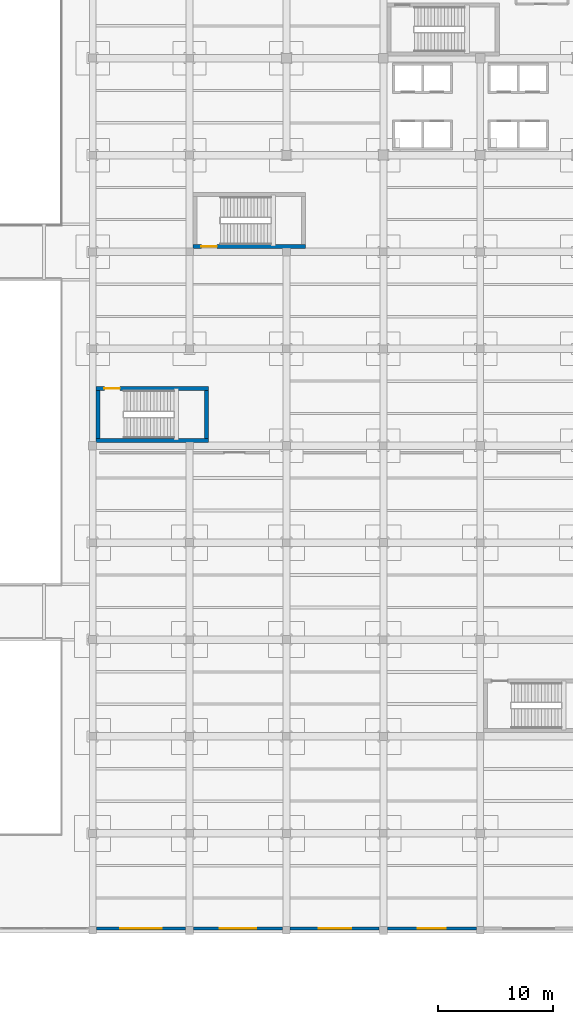
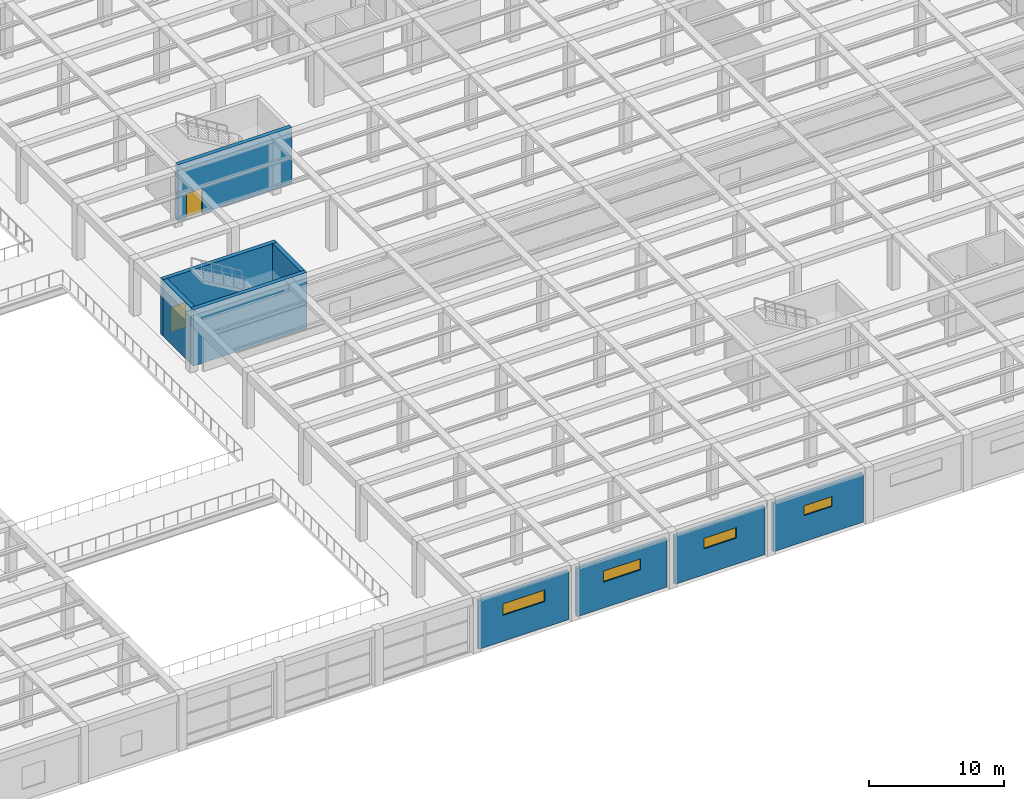
# One storey, part 78 of 96: 9 walls, 4 windows, 2 doors, 6 openings.
"""IFC4 building model written with IfcOpenShell, lengths in metres."""

from ifc_helpers import new_model, si_unit, direction, frame, frame_2d, origin, place, context, subcontext, project, spatial, rectangle, extrude, material, layer, layer_set, type_object, element, fill, save


model = new_model("IFC4")

# Units and contexts
model_context = context("Model", 3, precision=1e-05, world=origin(), true_north=direction((0.0, 1.0)))
body_context = subcontext(model_context, "Body", "Model", "MODEL_VIEW")
ifc_project = project(units=[si_unit("LENGTHUNIT", "METRE"), si_unit("AREAUNIT", "SQUARE_METRE"), si_unit("VOLUMEUNIT", "CUBIC_METRE"), si_unit("PLANEANGLEUNIT", "RADIAN"), si_unit("MASSUNIT", "GRAM", prefix="KILO")], contexts=[model_context])

# Site, building, storey
site_placement = place(None, origin())
site = spatial("IfcSite", under=ifc_project, at=site_placement, CompositionType="ELEMENT")
building_placement = place(site_placement, origin())
building = spatial("IfcBuilding", under=site, at=building_placement, Name="Almacenes y Pasaje Nevantli", CompositionType="ELEMENT")
storey_placement = place(building_placement, frame((0.0, 0.0, 6.0)))
storey = spatial("IfcBuildingStorey", under=building, at=storey_placement, Name="L02", CompositionType="ELEMENT", Elevation=6.0)

# Wall
ifc_material_1 = material(Name="Concrete C45/55", Category="concrete")
ifc_layer_1 = layer(ifc_material_1, 0.35009765625)
ifc_layer_set_1 = layer_set([ifc_layer_1], Name="Concrete C45/55")
wall_type_1 = type_object("IfcWallType", Name="WL-CORE-350", PredefinedType="SHEAR", material=ifc_layer_set_1)
wall_1_placement = place(storey_placement, frame((92.699951171875, 42.47509765625, 0.0), z_axis=(0.0, 0.0, 1.0), x_axis=(1.0, 0.0, 0.0)))
element("IfcWall", 1, at=wall_1_placement, inside=storey, type_object=wall_type_1, Name="L02 Exit Stair ST-08 South Core Shear Wall", PredefinedType="SHEAR", context=body_context, shape_type="SweptSolid", body=[
    extrude(rectangle(XDim=9.75, YDim=0.35009765625, at=frame_2d((4.875, 0.0))), origin(), (0.0, 0.0, 1.0), 5.10009765625),
])

# Wall, opening, door
wall_2_placement = place(storey_placement, frame((92.699951171875, 46.97509765625, 0.0), z_axis=(0.0, 0.0, 1.0), x_axis=(1.0, 0.0, 0.0)))
wall_2 = element("IfcWall", 2, at=wall_2_placement, inside=storey, type_object=wall_type_1, Name="L02 Exit Stair ST-08 North Core Shear Wall", PredefinedType="SHEAR", context=body_context, shape_type="SweptSolid", body=[
    extrude(rectangle(XDim=9.75, YDim=0.35009765625, at=frame_2d((4.875, 0.0))), origin(), (0.0, 0.0, 1.0), 5.10009765625),
])
opening_1_placement = place(wall_2_placement, frame((0.719970703125, 0.0, 0.0)))
opening_1 = element("IfcOpeningElement", 3, at=opening_1_placement, cuts=wall_2, Name="Opening SD-08-L02", PredefinedType="OPENING", context=body_context, shape_type="SweptSolid", body=[
    extrude(rectangle(XDim=1.35009765625, YDim=2.25, at=frame_2d((0.675048828125, 1.125))), frame((0.0, 0.18505859375, 0.0), z_axis=(0.0, -1.0, 0.0), x_axis=(1.0, 0.0, 0.0)), (0.0, 0.0, 1.0), 0.3701171875),
])
ifc_material_2 = material(Name="Galvanized Fire-Rated Steel", Category="steel")
door_type_1 = type_object("IfcDoorType", Name="DR-STAIR-1350R", OperationType="SINGLE_SWING_RIGHT", PredefinedType="DOOR", material=ifc_material_2)
door_1_placement = place(opening_1_placement, origin())
door_1 = element("IfcDoor", 4, at=door_1_placement, inside=storey, type_object=door_type_1, Name="L02 Smokeproof Exit Stair ST-08 Fire Door", OperationType="SINGLE_SWING_RIGHT", OverallHeight=2.25, OverallWidth=1.35009765625, PredefinedType="DOOR", context=body_context, shape_type="SweptSolid", body=[
    extrude(rectangle(XDim=1.35009765625, YDim=2.25, at=frame_2d((0.675048828125, 1.125))), frame((0.0, 0.02490234375, 0.0), z_axis=(0.0, -1.0, 0.0), x_axis=(1.0, 0.0, 0.0)), (0.0, 0.0, 1.0), 0.050048828125),
])
fill(opening_1, door_1)

# Walls
for number, where, z_axis, x_axis, name in (
    (5, (92.875, 42.64990234375, 0.0), (0.0, 0.0, 1.0), (0.0, 1.0, 0.0), "L02 Exit Stair ST-08 West Core Shear Wall"),
    (6, (102.27490234375, 42.64990234375, 0.0), (0.0, 0.0, 1.0), (0.0, 1.0, 0.0), "L02 Exit Stair ST-08 East Core Shear Wall"),
):
    element("IfcWall", number, at=place(storey_placement, frame(where, z_axis=z_axis, x_axis=x_axis)), inside=storey, type_object=wall_type_1, Name=name, PredefinedType="SHEAR", context=body_context, shape_type="SweptSolid", body=[
        extrude(rectangle(XDim=4.150146484375, YDim=0.35009765625, at=frame_2d((2.0751953125, 0.0))), origin(), (0.0, 0.0, 1.0), 5.10009765625),
    ])

# Wall, opening, door
wall_3_placement = place(storey_placement, frame((101.10009765625, 59.27490234375, 0.0), z_axis=(0.0, 0.0, 1.0), x_axis=(1.0, 0.0, 0.0)))
wall_3 = element("IfcWall", 7, at=wall_3_placement, inside=storey, type_object=wall_type_1, Name="L02 Exit Stair ST-13 South Core Shear Wall", PredefinedType="SHEAR", context=body_context, shape_type="SweptSolid", body=[
    extrude(rectangle(XDim=9.75, YDim=0.35009765625, at=frame_2d((4.875, 0.0))), origin(), (0.0, 0.0, 1.0), 5.10009765625),
])
opening_2_placement = place(wall_3_placement, frame((0.719970703125, 0.0, 0.0)))
opening_2 = element("IfcOpeningElement", 8, at=opening_2_placement, cuts=wall_3, Name="Opening SD-13-L02", PredefinedType="OPENING", context=body_context, shape_type="SweptSolid", body=[
    extrude(rectangle(XDim=1.35009765625, YDim=2.25, at=frame_2d((0.675048828125, 1.125))), frame((0.0, 0.18505859375, 0.0), z_axis=(0.0, -1.0, 0.0), x_axis=(1.0, 0.0, 0.0)), (0.0, 0.0, 1.0), 0.3701171875),
])
ifc_material_3 = material(Name="Galvanized Fire-Rated Steel", Category="steel")
door_type_2 = type_object("IfcDoorType", Name="DR-STAIR-1350", OperationType="SINGLE_SWING_LEFT", PredefinedType="DOOR", material=ifc_material_3)
door_2_placement = place(opening_2_placement, origin())
door_2 = element("IfcDoor", 9, at=door_2_placement, inside=storey, type_object=door_type_2, Name="L02 Smokeproof Exit Stair ST-13 Fire Door", OperationType="SINGLE_SWING_LEFT", OverallHeight=2.25, OverallWidth=1.35009765625, PredefinedType="DOOR", context=body_context, shape_type="SweptSolid", body=[
    extrude(rectangle(XDim=1.35009765625, YDim=2.25, at=frame_2d((0.675048828125, 1.125))), frame((0.0, 0.02490234375, 0.0), z_axis=(0.0, -1.0, 0.0), x_axis=(1.0, 0.0, 0.0)), (0.0, 0.0, 1.0), 0.050048828125),
])
fill(opening_2, door_2)

# Wall, opening, window
ifc_material_4 = material(Name="Architectural Precast Concrete C35/45 Spandrel Wall", Category="concrete")
ifc_layer_2 = layer(ifc_material_4, 0.280029296875)
ifc_layer_set_2 = layer_set([ifc_layer_2], Name="Architectural Precast Concrete C35/45 Spandrel Wall")
wall_type_2 = type_object("IfcWallType", Name="WL-EXT-CANTERA-280", PredefinedType="SOLIDWALL", material=ifc_layer_set_2)
wall_4_placement = place(storey_placement, frame((92.72802734375, 0.14990234375, 0.0), z_axis=(0.0, 0.0, 1.0), x_axis=(1.0, 0.0, 0.0)))
wall_4 = element("IfcWall", 10, at=wall_4_placement, inside=storey, type_object=wall_type_2, Name="L02 South Stockroom Clerestory Wall Bay 12", PredefinedType="SOLIDWALL", context=body_context, shape_type="SweptSolid", body=[
    extrude(rectangle(XDim=7.719970703125, YDim=0.280029296875, at=frame_2d((3.85986328125, 0.0))), origin(), (0.0, 0.0, 1.0), 4.3798828125),
])
opening_3_placement = place(wall_4_placement, frame((2.072021484375, 0.0, 2.35009765625)))
opening_3 = element("IfcOpeningElement", 11, at=opening_3_placement, cuts=wall_4, Name="Opening WT-22-066", PredefinedType="OPENING", context=body_context, shape_type="SweptSolid", body=[
    extrude(rectangle(XDim=3.60009765625, YDim=1.050048828125, at=frame_2d((1.800048828125, 0.52490234375))), frame((0.0, 0.14990234375, 0.0), z_axis=(0.0, -1.0, 0.0), x_axis=(1.0, 0.0, 0.0)), (0.0, 0.0, 1.0), 0.300048828125),
])
ifc_material_5 = material(Name="Thermally Broken Aluminium and Low-E Double Glazing", Category="aluminium")
window_type_1 = type_object("IfcWindowType", Name="WN-CLR-3600x1050", PartitioningType="SINGLE_PANEL", PredefinedType="WINDOW", material=ifc_material_5)
window_1_placement = place(opening_3_placement, origin())
window_1 = element("IfcWindow", 12, at=window_1_placement, inside=storey, type_object=window_type_1, Name="L02 Exterior Window WT-22 #66", OverallHeight=1.050048828125, OverallWidth=3.60009765625, PartitioningType="SINGLE_PANEL", PredefinedType="WINDOW", context=body_context, shape_type="SweptSolid", body=[
    extrude(rectangle(XDim=3.60009765625, YDim=1.050048828125, at=frame_2d((1.800048828125, 0.52490234375))), frame((0.0, 0.030029296875, 0.0), z_axis=(0.0, -1.0, 0.0), x_axis=(1.0, 0.0, 0.0)), (0.0, 0.0, 1.0), 0.06005859375),
])
fill(opening_3, window_1)

wall_5_placement = place(storey_placement, frame((101.152099609375, 0.14990234375, 0.0), z_axis=(0.0, 0.0, 1.0), x_axis=(1.0, 0.0, 0.0)))
wall_5 = element("IfcWall", 13, at=wall_5_placement, inside=storey, type_object=wall_type_2, Name="L02 South Stockroom Clerestory Wall Bay 13", PredefinedType="SOLIDWALL", context=body_context, shape_type="SweptSolid", body=[
    extrude(rectangle(XDim=7.719970703125, YDim=0.280029296875, at=frame_2d((3.85986328125, 0.0))), origin(), (0.0, 0.0, 1.0), 4.3798828125),
])
opening_4_placement = place(wall_5_placement, frame((2.248046875, 0.0, 2.35009765625)))
opening_4 = element("IfcOpeningElement", 14, at=opening_4_placement, cuts=wall_5, Name="Opening WT-23-067", PredefinedType="OPENING", context=body_context, shape_type="SweptSolid", body=[
    extrude(rectangle(XDim=3.199951171875, YDim=1.0, at=frame_2d((1.60009765625, 0.5))), frame((0.0, 0.14990234375, 0.0), z_axis=(0.0, -1.0, 0.0), x_axis=(1.0, 0.0, 0.0)), (0.0, 0.0, 1.0), 0.300048828125),
])
ifc_material_6 = material(Name="Thermally Broken Aluminium and Low-E Double Glazing", Category="aluminium")
window_type_2 = type_object("IfcWindowType", Name="WN-CLR-3200x1000", PartitioningType="SINGLE_PANEL", PredefinedType="WINDOW", material=ifc_material_6)
window_2_placement = place(opening_4_placement, origin())
window_2 = element("IfcWindow", 15, at=window_2_placement, inside=storey, type_object=window_type_2, Name="L02 Exterior Window WT-23 #67", OverallHeight=1.0, OverallWidth=3.199951171875, PartitioningType="SINGLE_PANEL", PredefinedType="WINDOW", context=body_context, shape_type="SweptSolid", body=[
    extrude(rectangle(XDim=3.199951171875, YDim=1.0, at=frame_2d((1.60009765625, 0.5))), frame((0.0, 0.030029296875, 0.0), z_axis=(0.0, -1.0, 0.0), x_axis=(1.0, 0.0, 0.0)), (0.0, 0.0, 1.0), 0.06005859375),
])
fill(opening_4, window_2)

wall_6_placement = place(storey_placement, frame((109.528076171875, 0.14990234375, 0.0), z_axis=(0.0, 0.0, 1.0), x_axis=(1.0, 0.0, 0.0)))
wall_6 = element("IfcWall", 16, at=wall_6_placement, inside=storey, type_object=wall_type_2, Name="L02 South Stockroom Clerestory Wall Bay 14", PredefinedType="SOLIDWALL", context=body_context, shape_type="SweptSolid", body=[
    extrude(rectangle(XDim=7.718017578125, YDim=0.280029296875, at=frame_2d((3.85888671875, 0.0))), origin(), (0.0, 0.0, 1.0), 4.3798828125),
])
opening_5_placement = place(wall_6_placement, frame((2.471923828125, 0.0, 2.35009765625)))
opening_5 = element("IfcOpeningElement", 17, at=opening_5_placement, cuts=wall_6, Name="Opening WT-24-068", PredefinedType="OPENING", context=body_context, shape_type="SweptSolid", body=[
    extrude(rectangle(XDim=2.800048828125, YDim=0.949951171875, at=frame_2d((1.39990234375, 0.47509765625))), frame((0.0, 0.14990234375, 0.0), z_axis=(0.0, -1.0, 0.0), x_axis=(1.0, 0.0, 0.0)), (0.0, 0.0, 1.0), 0.300048828125),
])
ifc_material_7 = material(Name="Thermally Broken Aluminium and Low-E Double Glazing", Category="aluminium")
window_type_3 = type_object("IfcWindowType", Name="WN-CLR-2800x0950", PartitioningType="SINGLE_PANEL", PredefinedType="WINDOW", material=ifc_material_7)
window_3_placement = place(opening_5_placement, origin())
window_3 = element("IfcWindow", 18, at=window_3_placement, inside=storey, type_object=window_type_3, Name="L02 Exterior Window WT-24 #68", OverallHeight=0.949951171875, OverallWidth=2.800048828125, PartitioningType="SINGLE_PANEL", PredefinedType="WINDOW", context=body_context, shape_type="SweptSolid", body=[
    extrude(rectangle(XDim=2.800048828125, YDim=0.949951171875, at=frame_2d((1.39990234375, 0.47509765625))), frame((0.0, 0.030029296875, 0.0), z_axis=(0.0, -1.0, 0.0), x_axis=(1.0, 0.0, 0.0)), (0.0, 0.0, 1.0), 0.06005859375),
])
fill(opening_5, window_3)

wall_7_placement = place(storey_placement, frame((117.951904296875, 0.14990234375, 0.0), z_axis=(0.0, 0.0, 1.0), x_axis=(1.0, 0.0, 0.0)))
wall_7 = element("IfcWall", 19, at=wall_7_placement, inside=storey, type_object=wall_type_2, Name="L02 South Stockroom Clerestory Wall Bay 15", PredefinedType="SOLIDWALL", context=body_context, shape_type="SweptSolid", body=[
    extrude(rectangle(XDim=7.72021484375, YDim=0.280029296875, at=frame_2d((3.860107421875, 0.0))), origin(), (0.0, 0.0, 1.0), 4.3798828125),
])
opening_6_placement = place(wall_7_placement, frame((2.64794921875, 0.0, 2.35009765625)))
opening_6 = element("IfcOpeningElement", 20, at=opening_6_placement, cuts=wall_7, Name="Opening WT-25-069", PredefinedType="OPENING", context=body_context, shape_type="SweptSolid", body=[
    extrude(rectangle(XDim=2.39990234375, YDim=0.89990234375, at=frame_2d((1.199951171875, 0.449951171875))), frame((0.0, 0.14990234375, 0.0), z_axis=(0.0, -1.0, 0.0), x_axis=(1.0, 0.0, 0.0)), (0.0, 0.0, 1.0), 0.300048828125),
])
ifc_material_8 = material(Name="Thermally Broken Aluminium and Low-E Double Glazing", Category="aluminium")
window_type_4 = type_object("IfcWindowType", Name="WN-CLR-2400x0900", PartitioningType="SINGLE_PANEL", PredefinedType="WINDOW", material=ifc_material_8)
window_4_placement = place(opening_6_placement, origin())
window_4 = element("IfcWindow", 21, at=window_4_placement, inside=storey, type_object=window_type_4, Name="L02 Exterior Window WT-25 #69", OverallHeight=0.89990234375, OverallWidth=2.39990234375, PartitioningType="SINGLE_PANEL", PredefinedType="WINDOW", context=body_context, shape_type="SweptSolid", body=[
    extrude(rectangle(XDim=2.39990234375, YDim=0.89990234375, at=frame_2d((1.199951171875, 0.449951171875))), frame((0.0, 0.030029296875, 0.0), z_axis=(0.0, -1.0, 0.0), x_axis=(1.0, 0.0, 0.0)), (0.0, 0.0, 1.0), 0.06005859375),
])
fill(opening_6, window_4)

save(model, "model.ifc")
